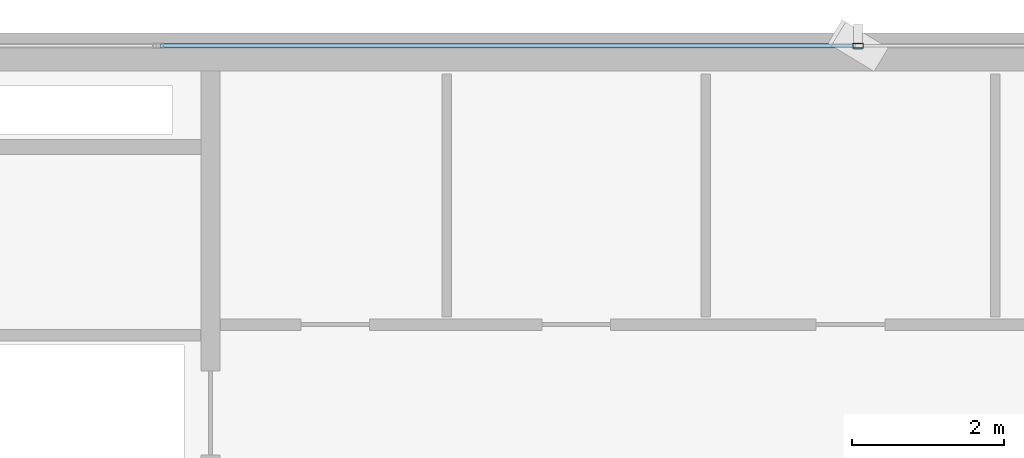
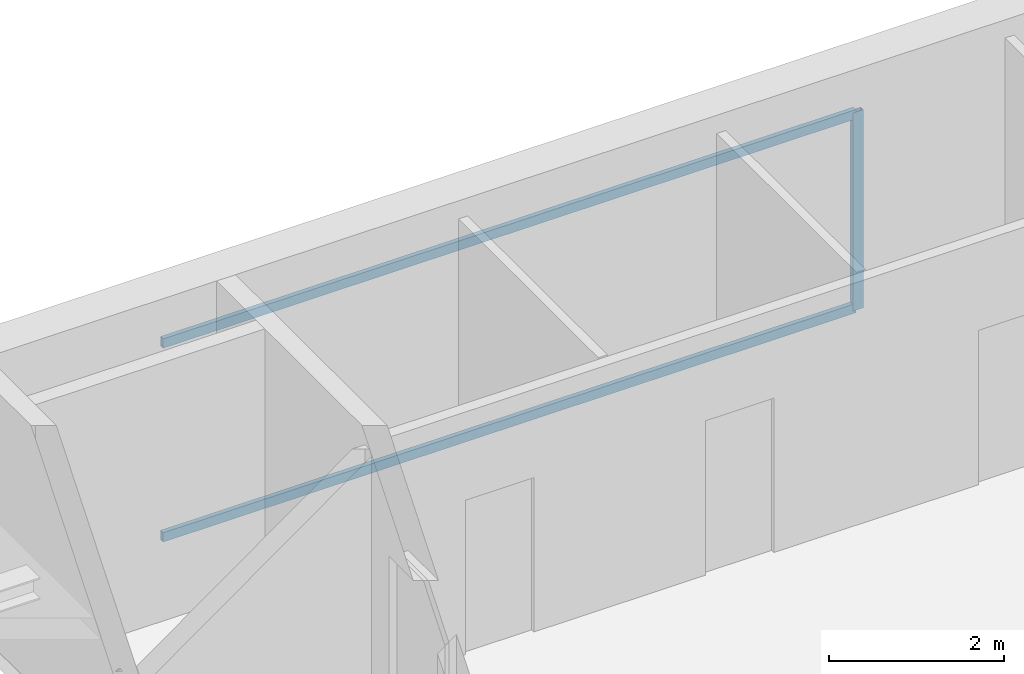
# One storey, part 20 of 28: 3 members, 1 element without a shape of its own.
"""IFC4 building model written with IfcOpenShell, lengths in metres."""

from ifc_helpers import new_model, si_unit, direction, frame, origin, origin_2d, place, context, subcontext, project, spatial, hollow_rectangle, extrude, source, transform, mapped, material, layer, layer_set, material_profile, profile_set, type_object, element, aggregate, save


model = new_model("IFC4")

# Units and contexts
model_context = context("Model", 3, precision=1e-05, world=origin(), true_north=direction((0.0, 1.0)))
body_context = subcontext(model_context, "Body", "Model", "MODEL_VIEW")
ifc_project = project(units=[si_unit("LENGTHUNIT", "METRE"), si_unit("AREAUNIT", "SQUARE_METRE"), si_unit("VOLUMEUNIT", "CUBIC_METRE"), si_unit("PLANEANGLEUNIT", "RADIAN"), si_unit("MASSUNIT", "GRAM", prefix="KILO")], contexts=[model_context])

# Site, building, storey
site_placement = place(None, origin())
site = spatial("IfcSite", under=ifc_project, at=site_placement, CompositionType="ELEMENT")
building_placement = place(site_placement, origin())
building = spatial("IfcBuilding", under=site, at=building_placement, Name="Sumidabori Civic Tower", CompositionType="ELEMENT")
storey_placement = place(building_placement, frame((0.0, 0.0, 210.800048828125)))
storey = spatial("IfcBuildingStorey", under=building, at=storey_placement, Name="L54", CompositionType="ELEMENT", Elevation=210.800048828125)

# Curtain wall, members
ifc_material = material(Name="Anodised Bronze Aluminium AW-6063-T6", Category="aluminium")
ifc_layer = layer(ifc_material, 0.179931640625, Name="Anodised Bronze Aluminium AW-6063-T6")
ifc_layer_set = layer_set([ifc_layer], Name="Anodised Bronze Aluminium AW-6063-T6")
curtain_wall_type = type_object("IfcCurtainWallType", Name="CW-SYS-5", PredefinedType="NOTDEFINED", material=ifc_layer_set)
curtain_wall_placement = place(storey_placement, origin())
curtain_wall = element("IfcCurtainWall", 1, at=curtain_wall_placement, inside=storey, type_object=curtain_wall_type, Name="Curtain Wall CW:L54:R13", PredefinedType="NOTDEFINED")
ifc_material_profile_1 = material_profile(ifc_material, hollow_rectangle(XDim=0.06005859375, YDim=0.139892578125, WallThickness=0.0048828125, at=origin_2d()), Name="ALU MULLION 140x60")
ifc_profile_set_1 = profile_set([ifc_material_profile_1], Name="Anodised Bronze Aluminium AW-6063-T6")
member_type_1 = type_object("IfcMemberType", Name="CW-MUL-140", PredefinedType="MULLION", material=ifc_profile_set_1)
shared_shape_1 = source(origin(), body_context, "Body", "SweptSolid", [
    extrude(hollow_rectangle(XDim=0.06005859375, YDim=0.139892578125, WallThickness=0.0048828125, at=origin_2d()), origin(), (0.0, 0.0, 1.0), 2.760009765625),
])
member_1_placement = place(storey_placement, frame((0.0, 23.8798828125, 0.0), z_axis=(0.0, 0.0, 1.0), x_axis=(0.0, -1.0, 0.0)))
member_1 = element("IfcMember", 2, at=member_1_placement, type_object=member_type_1, Name="CW-5 mullion 3", PredefinedType="MULLION", context=body_context, shape_type="MappedRepresentation", body=[
    mapped(shared_shape_1, transform((0.0, 0.0, 0.0), x_axis=(1.0, 0.0, 0.0), y_axis=(0.0, 1.0, 0.0), z_axis=(0.0, 0.0, 1.0), scale=1.0)),
])
ifc_material_profile_2 = material_profile(ifc_material, hollow_rectangle(XDim=0.06005859375, YDim=0.1298828125, WallThickness=0.0048828125, at=origin_2d()), Name="ALU TRANSOM 130x60")
ifc_profile_set_2 = profile_set([ifc_material_profile_2], Name="Anodised Bronze Aluminium AW-6063-T6")
member_type_2 = type_object("IfcMemberType", Name="CW-TRN-130", PredefinedType="USERDEFINED", material=ifc_profile_set_2)
shared_shape_2 = source(origin(), body_context, "Body", "SweptSolid", [
    extrude(hollow_rectangle(XDim=0.06005859375, YDim=0.1298828125, WallThickness=0.0048828125, at=origin_2d()), origin(), (0.0, 0.0, 1.0), 9.125),
])
member_2_placement = place(storey_placement, frame((-0.030029296875, 23.8798828125, 0.030029296875), z_axis=(-1.0, 0.0, 0.0), x_axis=(0.0, -1.0, 0.0)))
member_2 = element("IfcMember", 3, at=member_2_placement, type_object=member_type_2, Name="CW-5 transom 3.1", ObjectType="TRANSOM", PredefinedType="USERDEFINED", context=body_context, shape_type="MappedRepresentation", body=[
    mapped(shared_shape_2, transform((0.0, 0.0, 0.0), x_axis=(1.0, 0.0, 0.0), y_axis=(0.0, 1.0, 0.0), z_axis=(0.0, 0.0, 1.0), scale=1.0)),
])
member_3_placement = place(storey_placement, frame((-0.030029296875, 23.8798828125, 2.72998046875), z_axis=(-1.0, 0.0, 0.0), x_axis=(0.0, -1.0, 0.0)))
member_3 = element("IfcMember", 4, at=member_3_placement, type_object=member_type_2, Name="CW-5 transom 3.2", ObjectType="TRANSOM", PredefinedType="USERDEFINED", context=body_context, shape_type="MappedRepresentation", body=[
    mapped(shared_shape_2, transform((0.0, 0.0, 0.0), x_axis=(1.0, 0.0, 0.0), y_axis=(0.0, 1.0, 0.0), z_axis=(0.0, 0.0, 1.0), scale=1.0)),
])
aggregate(curtain_wall, [member_1, member_2, member_3])

save(model, "model.ifc")
